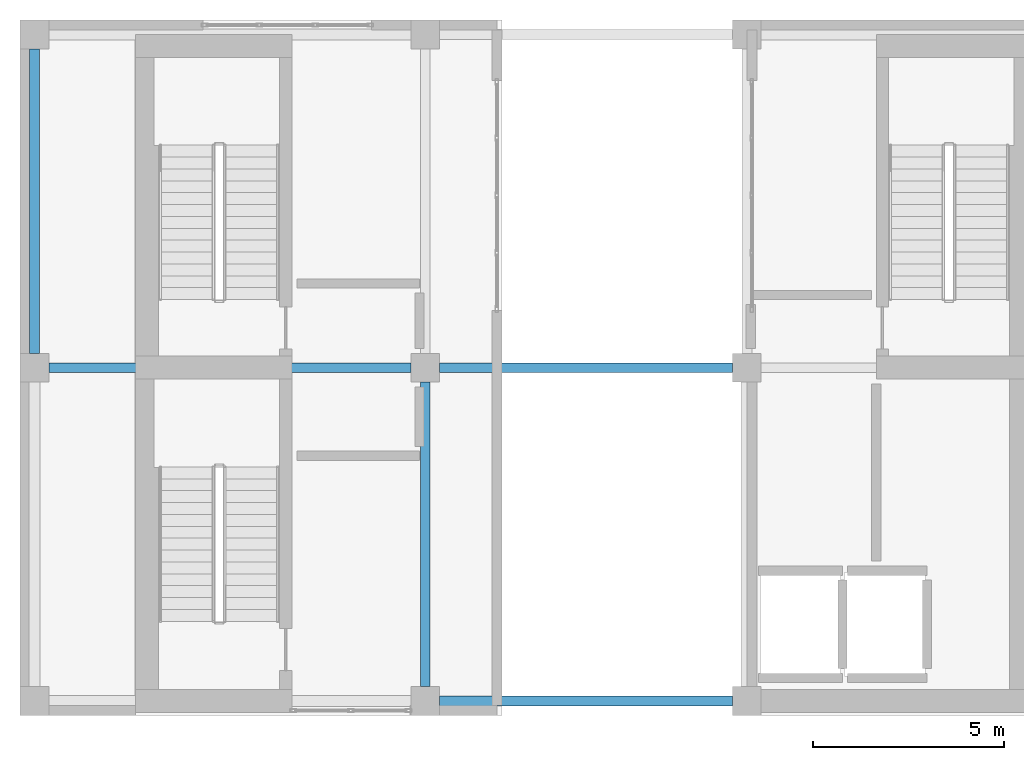
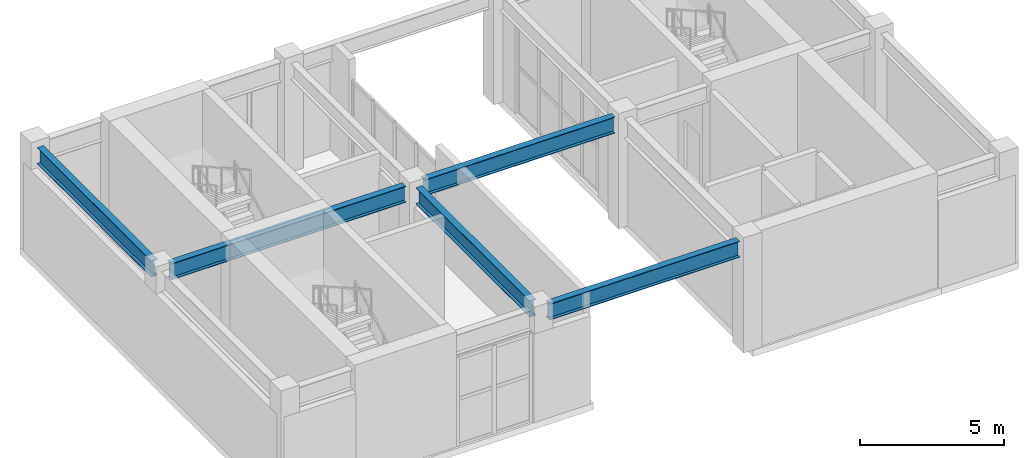
# One storey, part 3 of 11: 5 beams.
"""IFC4 building model written with IfcOpenShell, lengths in metres."""

from ifc_helpers import new_model, si_unit, direction, frame, origin, origin_2d, place, context, subcontext, project, spatial, i_section, extrude, material, material_profile, profile_set, type_object, element, save


model = new_model("IFC4")

# Units and contexts
model_context = context("Model", 3, precision=1e-05, world=origin(), true_north=direction((0.0, 1.0)))
body_context = subcontext(model_context, "Body", "Model", "MODEL_VIEW")
ifc_project = project(units=[si_unit("LENGTHUNIT", "METRE"), si_unit("AREAUNIT", "SQUARE_METRE"), si_unit("VOLUMEUNIT", "CUBIC_METRE"), si_unit("PLANEANGLEUNIT", "RADIAN"), si_unit("MASSUNIT", "GRAM", prefix="KILO")], contexts=[model_context])

# Site, building, storey
site_placement = place(None, origin())
site = spatial("IfcSite", under=ifc_project, at=site_placement, CompositionType="ELEMENT")
building_placement = place(site_placement, origin())
building = spatial("IfcBuilding", under=site, at=building_placement, Name="Solanera Arch Residences", CompositionType="ELEMENT")
storey_placement = place(building_placement, frame((0.0, 0.0, 287.8798828125)))
storey = spatial("IfcBuildingStorey", under=building, at=storey_placement, Name="L82", CompositionType="ELEMENT", Elevation=287.8798828125)

# Beams
ifc_material = material(Name="Steel S355 (ASTM A992 / A572 Grade 50)", Category="steel")
ifc_material_profile = material_profile(ifc_material, i_section(OverallWidth=0.256103515625, OverallDepth=0.693115234375, WebThickness=0.014404296875, FlangeThickness=0.023681640625, at=origin_2d()))
ifc_profile_set = profile_set([ifc_material_profile], Name="Steel S355 (ASTM A992 / A572 Grade 50)")
beam_type = type_object("IfcBeamType", Name="Primary Beam W690X170", PredefinedType="BEAM", material=ifc_profile_set)
beam_placement = place(storey_placement, frame((10.97509765625, 30.699951171875, 4.274169921875), z_axis=(1.0, 0.0, 0.0), x_axis=(0.0, 1.0, 0.0)))
element("IfcBeam", 1, at=beam_placement, inside=storey, type_object=beam_type, Name="BM-L82-CR-WM", PredefinedType="BEAM", context=body_context, shape_type="SweptSolid", body=[
    extrude(i_section(OverallWidth=0.256103515625, OverallDepth=0.693115234375, WebThickness=0.014404296875, FlangeThickness=0.023681640625, at=origin_2d()), origin(), (0.0, 0.0, 1.0), 9.449951171875),
])
for number, where, z_axis, x_axis, name in (
    (2, (10.60009765625, 31.074951171875, 4.274169921875), (0.0, 1.0, 0.0), (-1.0, 0.0, 0.0), "BM-L82-CR-W2"),
    (3, (20.800048828125, 22.375, 4.274169921875), (0.0, 1.0, 0.0), (-1.0, 0.0, 0.0), "BM-L82-CR-W3"),
):
    element("IfcBeam", number, at=place(storey_placement, frame(where, z_axis=z_axis, x_axis=x_axis)), inside=storey, type_object=beam_type, Name=name, PredefinedType="BEAM", context=body_context, shape_type="SweptSolid", body=[
        extrude(i_section(OverallWidth=0.256103515625, OverallDepth=0.693115234375, WebThickness=0.014404296875, FlangeThickness=0.023681640625, at=origin_2d()), origin(), (0.0, 0.0, 1.0), 7.949951171875),
    ])
for number, where, z_axis, x_axis, name in (
    (4, (21.175048828125, 22.0, 4.274169921875), (1.0, 0.0, 0.0), (0.0, 1.0, 0.0), "BM-L82-CR-TIE-S"),
    (5, (21.175048828125, 30.699951171875, 4.274169921875), (1.0, 0.0, 0.0), (0.0, 1.0, 0.0), "BM-L82-CR-TIE-C"),
):
    element("IfcBeam", number, at=place(storey_placement, frame(where, z_axis=z_axis, x_axis=x_axis)), inside=storey, type_object=beam_type, Name=name, PredefinedType="BEAM", context=body_context, shape_type="SweptSolid", body=[
        extrude(i_section(OverallWidth=0.256103515625, OverallDepth=0.693115234375, WebThickness=0.014404296875, FlangeThickness=0.023681640625, at=origin_2d()), origin(), (0.0, 0.0, 1.0), 7.64990234375),
    ])

save(model, "model.ifc")
